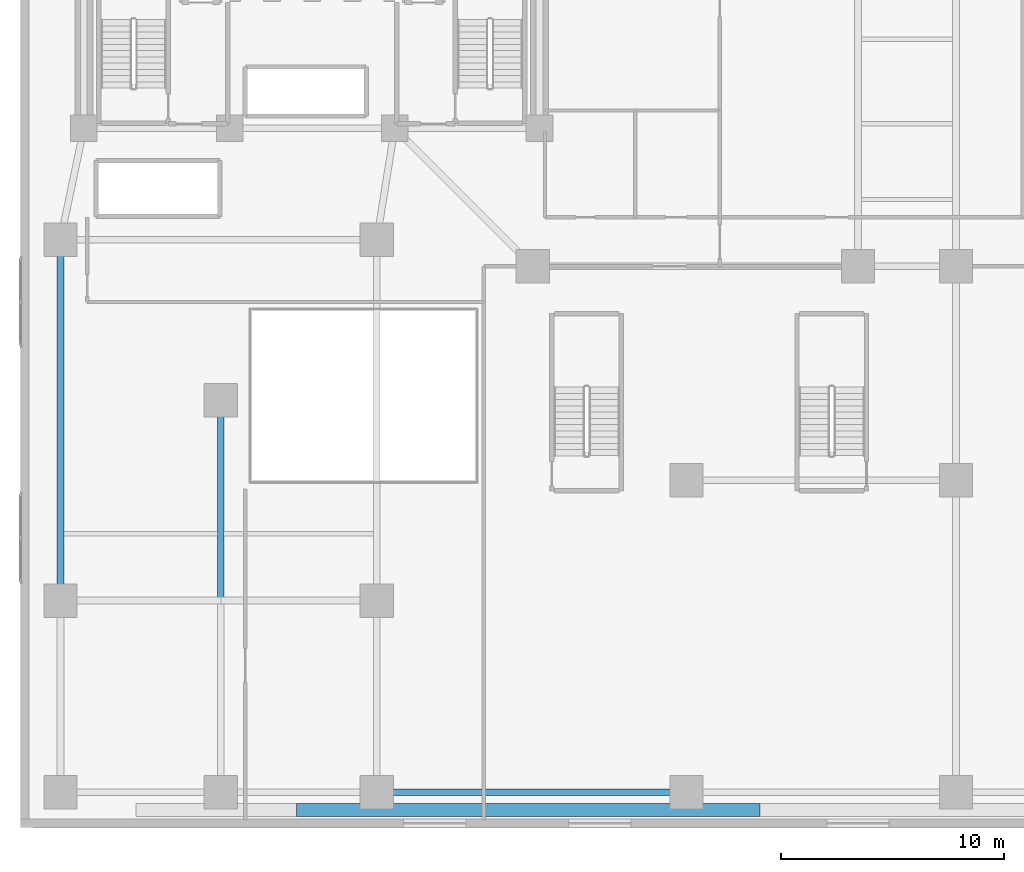
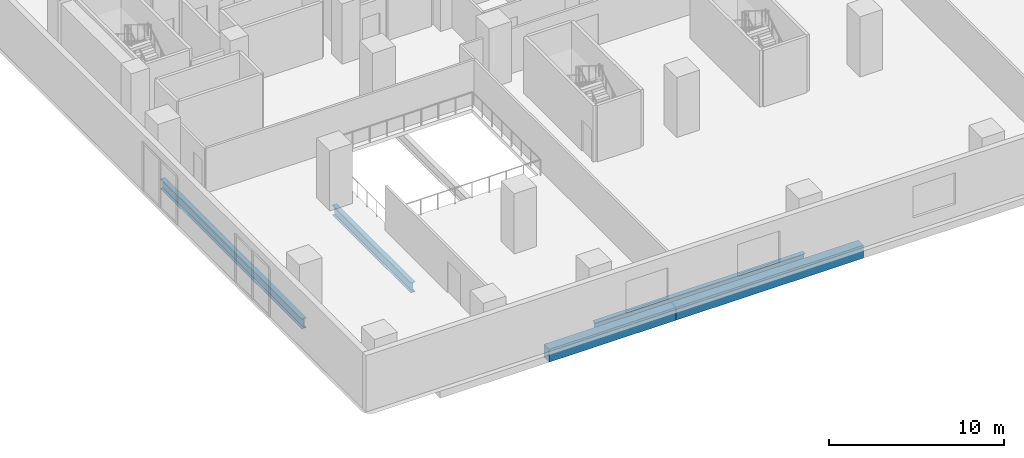
# One storey, part 3 of 14: 5 beams.
"""IFC4 building model written with IfcOpenShell, lengths in metres."""

from ifc_helpers import new_model, si_unit, direction, frame, origin, origin_2d, place, context, subcontext, project, spatial, rectangle, i_section, extrude, material, material_profile, profile_set, type_object, element, save


model = new_model("IFC4")

# Units and contexts
model_context = context("Model", 3, precision=1e-05, world=origin(), true_north=direction((0.0, 1.0)))
body_context = subcontext(model_context, "Body", "Model", "MODEL_VIEW")
ifc_project = project(units=[si_unit("LENGTHUNIT", "METRE"), si_unit("AREAUNIT", "SQUARE_METRE"), si_unit("VOLUMEUNIT", "CUBIC_METRE"), si_unit("PLANEANGLEUNIT", "RADIAN"), si_unit("MASSUNIT", "GRAM", prefix="KILO")], contexts=[model_context])

# Site, building, storey
site_placement = place(None, origin())
site = spatial("IfcSite", under=ifc_project, at=site_placement, CompositionType="ELEMENT")
building_placement = place(site_placement, origin())
building = spatial("IfcBuilding", under=site, at=building_placement, Name="Kuzgunbayir Cultural Tower", CompositionType="ELEMENT")
storey_placement = place(building_placement, frame((0.0, 0.0, 8.800048828125)))
storey = spatial("IfcBuildingStorey", under=building, at=storey_placement, Name="L02", CompositionType="ELEMENT", Elevation=8.800048828125)

# Beams
ifc_material_1 = material(Name="Steel S355J2", Category="steel")
ifc_material_profile_1 = material_profile(ifc_material_1, i_section(OverallWidth=0.300048828125, OverallDepth=0.699951171875, WebThickness=0.01708984375, FlangeThickness=0.031982421875, FilletRadius=0.027099609375, at=origin_2d()), Name="HEB 700")
ifc_profile_set_1 = profile_set([ifc_material_profile_1], Name="Steel S355J2")
beam_type_1 = type_object("IfcBeamType", Name="BM-GIR-HEB700", PredefinedType="BEAM", material=ifc_profile_set_1)
beam_1_placement = place(storey_placement, frame((19.60009765625, 4.0, -0.60009765625), z_axis=(1.0, 0.0, 0.0), x_axis=(0.0, 1.0, 0.0)))
element("IfcBeam", 1, at=beam_1_placement, inside=storey, type_object=beam_type_1, Name="L02 Podium South Girder 3", PredefinedType="BEAM", context=body_context, shape_type="SweptSolid", body=[
    extrude(i_section(OverallWidth=0.300048828125, OverallDepth=0.699951171875, WebThickness=0.01708984375, FlangeThickness=0.031982421875, FilletRadius=0.027099609375, at=origin_2d()), origin(), (0.0, 0.0, 1.0), 13.89990234375),
])
beam_2_placement = place(storey_placement, frame((5.39990234375, 12.60009765625, -0.60009765625), z_axis=(0.0, 1.0, 0.0), x_axis=(-1.0, 0.0, 0.0)))
element("IfcBeam", 2, at=beam_2_placement, inside=storey, type_object=beam_type_1, Name="L02 Podium Primary Girder 4", PredefinedType="BEAM", context=body_context, shape_type="SweptSolid", body=[
    extrude(i_section(OverallWidth=0.300048828125, OverallDepth=0.699951171875, WebThickness=0.01708984375, FlangeThickness=0.031982421875, FilletRadius=0.027099609375, at=origin_2d()), origin(), (0.0, 0.0, 1.0), 16.199951171875),
])
beam_3_placement = place(storey_placement, frame((12.60009765625, 12.60009765625, -0.60009765625), z_axis=(0.0, 1.0, 0.0), x_axis=(-1.0, 0.0, 0.0)))
element("IfcBeam", 3, at=beam_3_placement, inside=storey, type_object=beam_type_1, Name="L02 Podium Primary Girder 6", PredefinedType="BEAM", context=body_context, shape_type="SweptSolid", body=[
    extrude(i_section(OverallWidth=0.300048828125, OverallDepth=0.699951171875, WebThickness=0.01708984375, FlangeThickness=0.031982421875, FilletRadius=0.027099609375, at=origin_2d()), origin(), (0.0, 0.0, 1.0), 9.0),
])
ifc_material_2 = material(Name="Concrete C40/50", Category="concrete")
ifc_material_profile_2 = material_profile(ifc_material_2, rectangle(XDim=0.60009765625, YDim=0.89990234375, at=origin_2d()), Name="RC 600x900")
ifc_profile_set_2 = profile_set([ifc_material_profile_2], Name="Concrete C40/50")
beam_type_2 = type_object("IfcBeamType", Name="BM-SPN-RC600x900", PredefinedType="SPANDREL", material=ifc_profile_set_2)
beam_4_placement = place(storey_placement, frame((16.0, 3.199951171875, -0.699951171875), z_axis=(1.0, 0.0, 0.0), x_axis=(0.0, 1.0, 0.0)))
element("IfcBeam", 4, at=beam_4_placement, inside=storey, type_object=beam_type_2, Name="L02 South Edge Girder 2", PredefinedType="SPANDREL", context=body_context, shape_type="SweptSolid", body=[
    extrude(rectangle(XDim=0.60009765625, YDim=0.89990234375, at=origin_2d()), origin(), (0.0, 0.0, 1.0), 8.39990234375),
])
beam_5_placement = place(storey_placement, frame((24.39990234375, 3.199951171875, -0.699951171875), z_axis=(1.0, 0.0, 0.0), x_axis=(0.0, 1.0, 0.0)))
element("IfcBeam", 5, at=beam_5_placement, inside=storey, type_object=beam_type_2, Name="L02 South Edge Girder 3", PredefinedType="SPANDREL", context=body_context, shape_type="SweptSolid", body=[
    extrude(rectangle(XDim=0.60009765625, YDim=0.89990234375, at=origin_2d()), origin(), (0.0, 0.0, 1.0), 12.400146484375),
])

save(model, "model.ifc")
